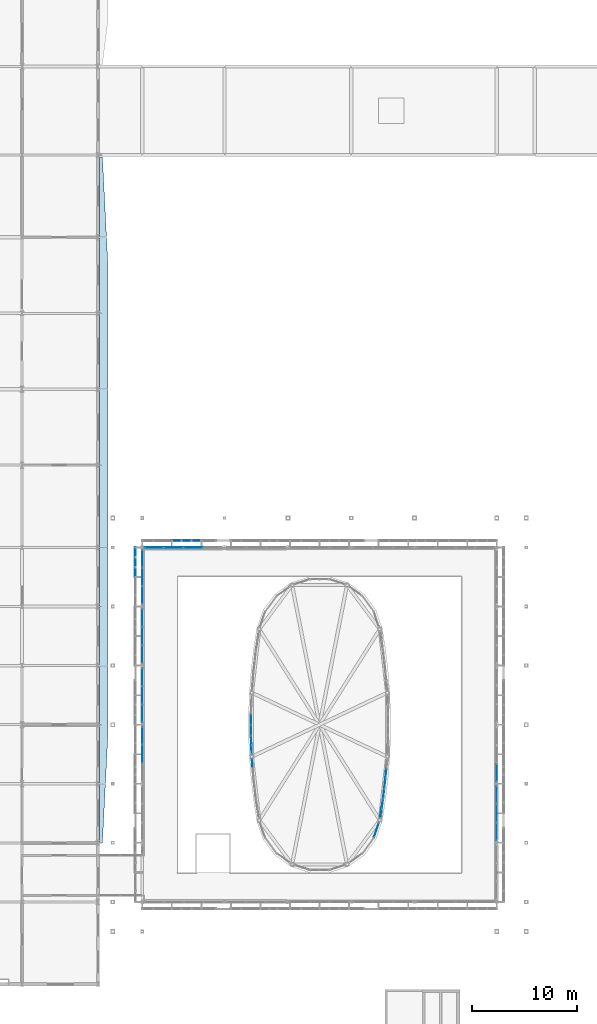
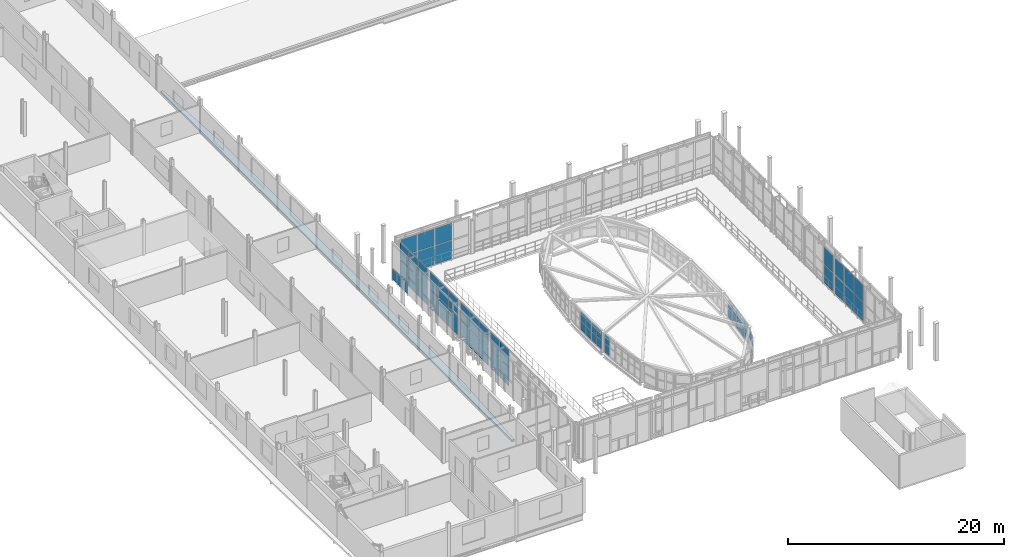
# One storey, part 52 of 78: 59 plates, 1 slab, 14 elements without a shape of their own.
"""IFC4 building model written with IfcOpenShell, lengths in metres."""

from ifc_helpers import new_model, si_unit, direction, frame, origin, origin_2d, place, context, subcontext, project, spatial, polyline, rectangle, outline, extrude, material, layer, layer_set, type_object, element, aggregate, save


model = new_model("IFC4")

# Units and contexts
model_context = context("Model", 3, precision=1e-05, world=origin(), true_north=direction((0.0, 1.0)))
body_context = subcontext(model_context, "Body", "Model", "MODEL_VIEW")
ifc_project = project(units=[si_unit("LENGTHUNIT", "METRE"), si_unit("AREAUNIT", "SQUARE_METRE"), si_unit("VOLUMEUNIT", "CUBIC_METRE"), si_unit("PLANEANGLEUNIT", "RADIAN"), si_unit("MASSUNIT", "GRAM", prefix="KILO")], contexts=[model_context])

# Site, building, storey
site_placement = place(None, origin())
site = spatial("IfcSite", under=ifc_project, at=site_placement, CompositionType="ELEMENT")
building_placement = place(site_placement, origin())
building = spatial("IfcBuilding", under=site, at=building_placement, Name="Vinh Khe Railworks Police Headquarters", CompositionType="ELEMENT")
storey_placement = place(building_placement, frame((0.0, 0.0, 13.199951171875)))
storey = spatial("IfcBuildingStorey", under=building, at=storey_placement, Name="L03", CompositionType="ELEMENT", Elevation=13.199951171875)

# Slab
ifc_material_1 = material(Name="Concrete C35/45 (B35)", Category="concrete")
ifc_layer_1 = layer(ifc_material_1, 0.199951171875)
ifc_layer_set_1 = layer_set([ifc_layer_1], Name="Concrete C35/45 (B35)")
slab_type = type_object("IfcSlabType", Name="Flat Structural Roof Slab 200", PredefinedType="ROOF", material=ifc_layer_set_1)
slab_placement = place(storey_placement, frame((0.0, 0.0, -0.239990234375)))
element("IfcSlab", 1, at=slab_placement, inside=storey, type_object=slab_type, Name="Monsoon Window Eyebrow Hood V5E (L03)", PredefinedType="ROOF", context=body_context, shape_type="SweptSolid", body=[
    extrude(outline(polyline([(22.340087890625, 30.800048828125), (22.62353515625, 30.800048828125), (23.14990234375, 41.199951171875), (23.14990234375, 85.39990234375), (22.62353515625, 95.800048828125), (22.340087890625, 95.800048828125), (22.340087890625, 30.800048828125)])), origin(), (0.0, 0.0, 1.0), 0.199951171875),
])

# Curtain wall, plates
ifc_material_2 = material(Name="Anodised aluminium and acoustic laminated glass", Category="aluminium")
ifc_layer_2 = layer(ifc_material_2, 0.159912109375)
ifc_layer_set_2 = layer_set([ifc_layer_2], Name="Anodised aluminium and acoustic laminated glass")
curtain_wall_type_1 = type_object("IfcCurtainWallType", Name="CW-DRUM-CHORD", PredefinedType="USERDEFINED", material=ifc_layer_set_2)
curtain_wall_1_placement = place(storey_placement, origin())
curtain_wall_1 = element("IfcCurtainWall", 2, at=curtain_wall_1_placement, inside=storey, type_object=curtain_wall_type_1, Name="Elliptical Command Drum Glazing L03 Chord 1", ObjectType="DRUM FACADE GLAZING", PredefinedType="USERDEFINED")
ifc_material_3 = material(Name="Acoustic laminated solar-control glass", Category="glass")
ifc_layer_3 = layer(ifc_material_3, 0.031982421875)
ifc_layer_set_3 = layer_set([ifc_layer_3], Name="Acoustic laminated solar-control glass")
plate_type_1 = type_object("IfcPlateType", Name="PAN-DRUM-32", PredefinedType="CURTAIN_PANEL", material=ifc_layer_set_3)
plate_1_placement = place(storey_placement, frame((49.01416015625, 33.5947265625, 0.06494140625), z_axis=(0.0, 0.0, 1.0), x_axis=(0.153488905684, 0.988150371063, 0.0)))
plate_1 = element("IfcPlate", 3, at=plate_1_placement, type_object=plate_type_1, Name="CW-02 panel 1.1", PredefinedType="CURTAIN_PANEL", context=body_context, shape_type="SweptSolid", body=[
    extrude(rectangle(XDim=0.82275390625, YDim=0.031982421875, at=origin_2d()), origin(), (0.0, 0.0, 1.0), 0.992431640625),
])
plate_2_placement = place(storey_placement, frame((49.01416015625, 33.5947265625, 1.12255859375), z_axis=(0.0, 0.0, 1.0), x_axis=(0.153488905684, 0.988150371063, 0.0)))
plate_2 = element("IfcPlate", 4, at=plate_2_placement, type_object=plate_type_1, Name="CW-02 panel 1.2", PredefinedType="CURTAIN_PANEL", context=body_context, shape_type="SweptSolid", body=[
    extrude(rectangle(XDim=0.82275390625, YDim=0.031982421875, at=origin_2d()), origin(), (0.0, 0.0, 1.0), 0.992431640625),
])
plate_3_placement = place(storey_placement, frame((49.150390625, 34.471923828125, 0.06494140625), z_axis=(0.0, 0.0, 1.0), x_axis=(0.153488905684, 0.988150371063, 0.0)))
plate_3 = element("IfcPlate", 5, at=plate_3_placement, type_object=plate_type_1, Name="CW-02 panel 2.1", PredefinedType="CURTAIN_PANEL", context=body_context, shape_type="SweptSolid", body=[
    extrude(rectangle(XDim=0.82275390625, YDim=0.031982421875, at=origin_2d()), origin(), (0.0, 0.0, 1.0), 0.992431640625),
])
plate_4_placement = place(storey_placement, frame((49.150390625, 34.471923828125, 1.12255859375), z_axis=(0.0, 0.0, 1.0), x_axis=(0.153488905684, 0.988150371063, 0.0)))
plate_4 = element("IfcPlate", 6, at=plate_4_placement, type_object=plate_type_1, Name="CW-02 panel 2.2", PredefinedType="CURTAIN_PANEL", context=body_context, shape_type="SweptSolid", body=[
    extrude(rectangle(XDim=0.82275390625, YDim=0.031982421875, at=origin_2d()), origin(), (0.0, 0.0, 1.0), 0.992431640625),
])
aggregate(curtain_wall_1, [plate_1, plate_2, plate_3, plate_4])

curtain_wall_2_placement = place(storey_placement, origin())
curtain_wall_2 = element("IfcCurtainWall", 7, at=curtain_wall_2_placement, inside=storey, type_object=curtain_wall_type_1, Name="Elliptical Command Drum Glazing L03 Chord 2", ObjectType="DRUM FACADE GLAZING", PredefinedType="USERDEFINED")
plate_5_placement = place(storey_placement, frame((49.28369140625, 35.4609375, 0.06494140625), z_axis=(0.0, 0.0, 1.0), x_axis=(0.115317737498, 0.993328656296, 0.0)))
plate_5 = element("IfcPlate", 8, at=plate_5_placement, type_object=plate_type_1, Name="CW-02 panel 1.1", PredefinedType="CURTAIN_PANEL", context=body_context, shape_type="SweptSolid", body=[
    extrude(rectangle(XDim=0.913818359375, YDim=0.031982421875, at=origin_2d()), origin(), (0.0, 0.0, 1.0), 0.992431640625),
])
plate_6_placement = place(storey_placement, frame((49.28369140625, 35.4609375, 1.12255859375), z_axis=(0.0, 0.0, 1.0), x_axis=(0.115317737498, 0.993328656296, 0.0)))
plate_6 = element("IfcPlate", 9, at=plate_6_placement, type_object=plate_type_1, Name="CW-02 panel 1.2", PredefinedType="CURTAIN_PANEL", context=body_context, shape_type="SweptSolid", body=[
    extrude(rectangle(XDim=0.913818359375, YDim=0.031982421875, at=origin_2d()), origin(), (0.0, 0.0, 1.0), 0.992431640625),
])
plate_7_placement = place(storey_placement, frame((49.396484375, 36.43310546875, 0.06494140625), z_axis=(0.0, 0.0, 1.0), x_axis=(0.115317737498, 0.993328656296, 0.0)))
plate_7 = element("IfcPlate", 10, at=plate_7_placement, type_object=plate_type_1, Name="CW-02 panel 2.1", PredefinedType="CURTAIN_PANEL", context=body_context, shape_type="SweptSolid", body=[
    extrude(rectangle(XDim=0.913818359375, YDim=0.031982421875, at=origin_2d()), origin(), (0.0, 0.0, 1.0), 0.992431640625),
])
plate_8_placement = place(storey_placement, frame((49.396484375, 36.43310546875, 1.12255859375), z_axis=(0.0, 0.0, 1.0), x_axis=(0.115317737498, 0.993328656296, 0.0)))
plate_8 = element("IfcPlate", 11, at=plate_8_placement, type_object=plate_type_1, Name="CW-02 panel 2.2", PredefinedType="CURTAIN_PANEL", context=body_context, shape_type="SweptSolid", body=[
    extrude(rectangle(XDim=0.913818359375, YDim=0.031982421875, at=origin_2d()), origin(), (0.0, 0.0, 1.0), 0.992431640625),
])
aggregate(curtain_wall_2, [plate_5, plate_6, plate_7, plate_8])

curtain_wall_3_placement = place(storey_placement, origin())
curtain_wall_3 = element("IfcCurtainWall", 12, at=curtain_wall_3_placement, inside=storey, type_object=curtain_wall_type_1, Name="Elliptical Command Drum Glazing L03 Chord 3", ObjectType="DRUM FACADE GLAZING", PredefinedType="USERDEFINED")
plate_9_placement = place(storey_placement, frame((49.493408203125, 37.426513671875, 0.06494140625), z_axis=(0.0, 0.0, 1.0), x_axis=(0.076969059213, 0.997033481847, 0.0)))
plate_9 = element("IfcPlate", 13, at=plate_9_placement, type_object=plate_type_1, Name="CW-02 panel 1.1", PredefinedType="CURTAIN_PANEL", context=body_context, shape_type="SweptSolid", body=[
    extrude(rectangle(XDim=0.82275390625, YDim=0.031982421875, at=origin_2d()), origin(), (0.0, 0.0, 1.0), 0.992431640625),
])
plate_10_placement = place(storey_placement, frame((49.493408203125, 37.426513671875, 1.12255859375), z_axis=(0.0, 0.0, 1.0), x_axis=(0.076969059213, 0.997033481847, 0.0)))
plate_10 = element("IfcPlate", 14, at=plate_10_placement, type_object=plate_type_1, Name="CW-02 panel 1.2", PredefinedType="CURTAIN_PANEL", context=body_context, shape_type="SweptSolid", body=[
    extrude(rectangle(XDim=0.82275390625, YDim=0.031982421875, at=origin_2d()), origin(), (0.0, 0.0, 1.0), 0.992431640625),
])
aggregate(curtain_wall_3, [plate_9, plate_10])

curtain_wall_4_placement = place(storey_placement, origin())
curtain_wall_4 = element("IfcCurtainWall", 15, at=curtain_wall_4_placement, inside=storey, type_object=curtain_wall_type_1, Name="Elliptical Command Drum Glazing L03 Chord 23", ObjectType="DRUM FACADE GLAZING", PredefinedType="USERDEFINED")
plate_11_placement = place(storey_placement, frame((36.709716796875, 42.4892578125, 0.06494140625), z_axis=(0.0, 0.0, 1.0), x_axis=(0.0, -1.0, 0.0)))
plate_11 = element("IfcPlate", 16, at=plate_11_placement, type_object=plate_type_1, Name="CW-02 panel 1.1", PredefinedType="CURTAIN_PANEL", context=body_context, shape_type="SweptSolid", body=[
    extrude(rectangle(XDim=0.913818359375, YDim=0.031982421875, at=origin_2d()), origin(), (0.0, 0.0, 1.0), 0.992431640625),
])
plate_12_placement = place(storey_placement, frame((36.709716796875, 42.4892578125, 1.12255859375), z_axis=(0.0, 0.0, 1.0), x_axis=(0.0, -1.0, 0.0)))
plate_12 = element("IfcPlate", 17, at=plate_12_placement, type_object=plate_type_1, Name="CW-02 panel 1.2", PredefinedType="CURTAIN_PANEL", context=body_context, shape_type="SweptSolid", body=[
    extrude(rectangle(XDim=0.913818359375, YDim=0.031982421875, at=origin_2d()), origin(), (0.0, 0.0, 1.0), 0.992431640625),
])
plate_13_placement = place(storey_placement, frame((36.709716796875, 41.5107421875, 0.06494140625), z_axis=(0.0, 0.0, 1.0), x_axis=(0.0, -1.0, 0.0)))
plate_13 = element("IfcPlate", 18, at=plate_13_placement, type_object=plate_type_1, Name="CW-02 panel 2.1", PredefinedType="CURTAIN_PANEL", context=body_context, shape_type="SweptSolid", body=[
    extrude(rectangle(XDim=0.913818359375, YDim=0.031982421875, at=origin_2d()), origin(), (0.0, 0.0, 1.0), 0.992431640625),
])
plate_14_placement = place(storey_placement, frame((36.709716796875, 41.5107421875, 1.12255859375), z_axis=(0.0, 0.0, 1.0), x_axis=(0.0, -1.0, 0.0)))
plate_14 = element("IfcPlate", 19, at=plate_14_placement, type_object=plate_type_1, Name="CW-02 panel 2.2", PredefinedType="CURTAIN_PANEL", context=body_context, shape_type="SweptSolid", body=[
    extrude(rectangle(XDim=0.913818359375, YDim=0.031982421875, at=origin_2d()), origin(), (0.0, 0.0, 1.0), 0.992431640625),
])
aggregate(curtain_wall_4, [plate_11, plate_12, plate_13, plate_14])

curtain_wall_5_placement = place(storey_placement, origin())
curtain_wall_5 = element("IfcCurtainWall", 20, at=curtain_wall_5_placement, inside=storey, type_object=curtain_wall_type_1, Name="Elliptical Command Drum Glazing L03 Chord 24", ObjectType="DRUM FACADE GLAZING", PredefinedType="USERDEFINED")
plate_15_placement = place(storey_placement, frame((36.72802734375, 40.5126953125, 0.06494140625), z_axis=(0.0, 0.0, 1.0), x_axis=(0.038512625989, -0.999258113622, 0.0)))
plate_15 = element("IfcPlate", 21, at=plate_15_placement, type_object=plate_type_1, Name="CW-02 panel 1.1", PredefinedType="CURTAIN_PANEL", context=body_context, shape_type="SweptSolid", body=[
    extrude(rectangle(XDim=0.82275390625, YDim=0.031982421875, at=origin_2d()), origin(), (0.0, 0.0, 1.0), 0.992431640625),
])
plate_16_placement = place(storey_placement, frame((36.72802734375, 40.5126953125, 1.12255859375), z_axis=(0.0, 0.0, 1.0), x_axis=(0.038512625989, -0.999258113622, 0.0)))
plate_16 = element("IfcPlate", 22, at=plate_16_placement, type_object=plate_type_1, Name="CW-02 panel 1.2", PredefinedType="CURTAIN_PANEL", context=body_context, shape_type="SweptSolid", body=[
    extrude(rectangle(XDim=0.82275390625, YDim=0.031982421875, at=origin_2d()), origin(), (0.0, 0.0, 1.0), 0.992431640625),
])
plate_17_placement = place(storey_placement, frame((36.76220703125, 39.625732421875, 0.06494140625), z_axis=(0.0, 0.0, 1.0), x_axis=(0.038512625989, -0.999258113622, 0.0)))
plate_17 = element("IfcPlate", 23, at=plate_17_placement, type_object=plate_type_1, Name="CW-02 panel 2.1", PredefinedType="CURTAIN_PANEL", context=body_context, shape_type="SweptSolid", body=[
    extrude(rectangle(XDim=0.82275390625, YDim=0.031982421875, at=origin_2d()), origin(), (0.0, 0.0, 1.0), 0.992431640625),
])
plate_18_placement = place(storey_placement, frame((36.76220703125, 39.625732421875, 1.12255859375), z_axis=(0.0, 0.0, 1.0), x_axis=(0.038512625989, -0.999258113622, 0.0)))
plate_18 = element("IfcPlate", 24, at=plate_18_placement, type_object=plate_type_1, Name="CW-02 panel 2.2", PredefinedType="CURTAIN_PANEL", context=body_context, shape_type="SweptSolid", body=[
    extrude(rectangle(XDim=0.82275390625, YDim=0.031982421875, at=origin_2d()), origin(), (0.0, 0.0, 1.0), 0.992431640625),
])
aggregate(curtain_wall_5, [plate_15, plate_16, plate_17, plate_18])

curtain_wall_6_placement = place(storey_placement, origin())
curtain_wall_6 = element("IfcCurtainWall", 25, at=curtain_wall_6_placement, inside=storey, type_object=curtain_wall_type_1, Name="Elliptical Command Drum Glazing L03 Chord 25", ObjectType="DRUM FACADE GLAZING", PredefinedType="USERDEFINED")
plate_19_placement = place(storey_placement, frame((36.83837890625, 38.3115234375, 0.06494140625), z_axis=(0.0, 0.0, 1.0), x_axis=(0.076969059213, -0.997033481847, 0.0)))
plate_19 = element("IfcPlate", 26, at=plate_19_placement, type_object=plate_type_1, Name="CW-02 panel 1.1", PredefinedType="CURTAIN_PANEL", context=body_context, shape_type="SweptSolid", body=[
    extrude(rectangle(XDim=0.82275390625, YDim=0.031982421875, at=origin_2d()), origin(), (0.0, 0.0, 1.0), 0.992431640625),
])
plate_20_placement = place(storey_placement, frame((36.83837890625, 38.3115234375, 1.12255859375), z_axis=(0.0, 0.0, 1.0), x_axis=(0.076969059213, -0.997033481847, 0.0)))
plate_20 = element("IfcPlate", 27, at=plate_20_placement, type_object=plate_type_1, Name="CW-02 panel 1.2", PredefinedType="CURTAIN_PANEL", context=body_context, shape_type="SweptSolid", body=[
    extrude(rectangle(XDim=0.82275390625, YDim=0.031982421875, at=origin_2d()), origin(), (0.0, 0.0, 1.0), 0.992431640625),
])
aggregate(curtain_wall_6, [plate_19, plate_20])

# Curtain wall, plate
curtain_wall_7_placement = place(storey_placement, origin())
curtain_wall_7 = element("IfcCurtainWall", 28, at=curtain_wall_7_placement, inside=storey, type_object=curtain_wall_type_1, Name="Elliptical Command Drum Glazing L03 Chord 36", ObjectType="DRUM FACADE GLAZING", PredefinedType="USERDEFINED")
plate_21_placement = place(storey_placement, frame((48.59423828125, 32.009033203125, 1.12255859375), z_axis=(0.0, 0.0, 1.0), x_axis=(0.322748955701, 0.946484607162, 0.0)))
plate_21 = element("IfcPlate", 29, at=plate_21_placement, type_object=plate_type_1, Name="CW-02 panel 1.2", PredefinedType="CURTAIN_PANEL", context=body_context, shape_type="SweptSolid", body=[
    extrude(rectangle(XDim=1.48193359375, YDim=0.031982421875, at=origin_2d()), origin(), (0.0, 0.0, 1.0), 0.992431640625),
])
aggregate(curtain_wall_7, [plate_21])

# Curtain wall, plates
ifc_material_4 = material(Name="Anodised aluminium and low-iron glass", Category="aluminium")
ifc_layer_4 = layer(ifc_material_4, 0.179931640625)
ifc_layer_set_4 = layer_set([ifc_layer_4], Name="Anodised aluminium and low-iron glass")
curtain_wall_type_2 = type_object("IfcCurtainWallType", Name="CW-CUBE-UNIT", PredefinedType="USERDEFINED", material=ifc_layer_set_4)
curtain_wall_8_placement = place(storey_placement, origin())
curtain_wall_8 = element("IfcCurtainWall", 30, at=curtain_wall_8_placement, inside=storey, type_object=curtain_wall_type_2, Name="Entrance Hall Curtain Wall L03 N-1", ObjectType="UNITISED GLAZING", PredefinedType="USERDEFINED")
ifc_material_5 = material(Name="Low-iron laminated solar-control glass", Category="glass")
ifc_layer_5 = layer(ifc_material_5, 0.028076171875)
ifc_layer_set_5 = layer_set([ifc_layer_5], Name="Low-iron laminated solar-control glass")
plate_type_2 = type_object("IfcPlateType", Name="PAN-GLZ-28", PredefinedType="CURTAIN_PANEL", material=ifc_layer_set_5)
plate_22_placement = place(storey_placement, frame((27.516845703125, 58.800048828125, 0.070068359375), z_axis=(0.0, 0.0, 1.0), x_axis=(1.0, 0.0, 0.0)))
plate_22 = element("IfcPlate", 31, at=plate_22_placement, type_object=plate_type_2, Name="CW-01 panel 1.1", PredefinedType="CURTAIN_PANEL", context=body_context, shape_type="SweptSolid", body=[
    extrude(rectangle(XDim=1.753662109375, YDim=0.028076171875, at=origin_2d()), origin(), (0.0, 0.0, 1.0), 2.0791015625),
])
plate_23_placement = place(storey_placement, frame((27.516845703125, 58.800048828125, 2.21923828125), z_axis=(0.0, 0.0, 1.0), x_axis=(1.0, 0.0, 0.0)))
plate_23 = element("IfcPlate", 32, at=plate_23_placement, type_object=plate_type_2, Name="CW-01 panel 1.2", PredefinedType="CURTAIN_PANEL", context=body_context, shape_type="SweptSolid", body=[
    extrude(rectangle(XDim=1.753662109375, YDim=0.028076171875, at=origin_2d()), origin(), (0.0, 0.0, 1.0), 1.910888671875),
])
plate_24_placement = place(storey_placement, frame((29.358154296875, 58.800048828125, 0.070068359375), z_axis=(0.0, 0.0, 1.0), x_axis=(1.0, 0.0, 0.0)))
plate_24 = element("IfcPlate", 33, at=plate_24_placement, type_object=plate_type_2, Name="CW-01 panel 2.1", PredefinedType="CURTAIN_PANEL", context=body_context, shape_type="SweptSolid", body=[
    extrude(rectangle(XDim=1.788818359375, YDim=0.028076171875, at=origin_2d()), origin(), (0.0, 0.0, 1.0), 2.0791015625),
])
plate_25_placement = place(storey_placement, frame((29.358154296875, 58.800048828125, 2.21923828125), z_axis=(0.0, 0.0, 1.0), x_axis=(1.0, 0.0, 0.0)))
plate_25 = element("IfcPlate", 34, at=plate_25_placement, type_object=plate_type_2, Name="CW-01 panel 2.2", PredefinedType="CURTAIN_PANEL", context=body_context, shape_type="SweptSolid", body=[
    extrude(rectangle(XDim=1.788818359375, YDim=0.028076171875, at=origin_2d()), origin(), (0.0, 0.0, 1.0), 1.910888671875),
])
plate_26_placement = place(storey_placement, frame((31.216796875, 58.800048828125, 0.070068359375), z_axis=(0.0, 0.0, 1.0), x_axis=(1.0, 0.0, 0.0)))
plate_26 = element("IfcPlate", 35, at=plate_26_placement, type_object=plate_type_2, Name="CW-01 panel 3.1", PredefinedType="CURTAIN_PANEL", context=body_context, shape_type="SweptSolid", body=[
    extrude(rectangle(XDim=1.788818359375, YDim=0.028076171875, at=origin_2d()), origin(), (0.0, 0.0, 1.0), 2.0791015625),
])
plate_27_placement = place(storey_placement, frame((31.216796875, 58.800048828125, 2.21923828125), z_axis=(0.0, 0.0, 1.0), x_axis=(1.0, 0.0, 0.0)))
plate_27 = element("IfcPlate", 36, at=plate_27_placement, type_object=plate_type_2, Name="CW-01 panel 3.2", PredefinedType="CURTAIN_PANEL", context=body_context, shape_type="SweptSolid", body=[
    extrude(rectangle(XDim=1.788818359375, YDim=0.028076171875, at=origin_2d()), origin(), (0.0, 0.0, 1.0), 1.910888671875),
])
aggregate(curtain_wall_8, [plate_22, plate_23, plate_24, plate_25, plate_26, plate_27])

curtain_wall_9_placement = place(storey_placement, origin())
curtain_wall_9 = element("IfcCurtainWall", 37, at=curtain_wall_9_placement, inside=storey, type_object=curtain_wall_type_2, Name="Entrance Hall Curtain Wall L03 E-2", ObjectType="UNITISED GLAZING", PredefinedType="USERDEFINED")
plate_28_placement = place(storey_placement, frame((60.0, 31.86083984375, 0.070068359375), z_axis=(0.0, 0.0, 1.0), x_axis=(0.0, 1.0, 0.0)))
plate_28 = element("IfcPlate", 38, at=plate_28_placement, type_object=plate_type_2, Name="CW-01 panel 1.1", PredefinedType="CURTAIN_PANEL", context=body_context, shape_type="SweptSolid", body=[
    extrude(rectangle(XDim=1.66162109375, YDim=0.028076171875, at=origin_2d()), origin(), (0.0, 0.0, 1.0), 2.0791015625),
])
plate_29_placement = place(storey_placement, frame((60.0, 31.86083984375, 2.21923828125), z_axis=(0.0, 0.0, 1.0), x_axis=(0.0, 1.0, 0.0)))
plate_29 = element("IfcPlate", 39, at=plate_29_placement, type_object=plate_type_2, Name="CW-01 panel 1.2", PredefinedType="CURTAIN_PANEL", context=body_context, shape_type="SweptSolid", body=[
    extrude(rectangle(XDim=1.66162109375, YDim=0.028076171875, at=origin_2d()), origin(), (0.0, 0.0, 1.0), 1.910888671875),
])
plate_30_placement = place(storey_placement, frame((60.0, 33.610107421875, 0.070068359375), z_axis=(0.0, 0.0, 1.0), x_axis=(0.0, 1.0, 0.0)))
plate_30 = element("IfcPlate", 40, at=plate_30_placement, type_object=plate_type_2, Name="CW-01 panel 2.1", PredefinedType="CURTAIN_PANEL", context=body_context, shape_type="SweptSolid", body=[
    extrude(rectangle(XDim=1.69677734375, YDim=0.028076171875, at=origin_2d()), origin(), (0.0, 0.0, 1.0), 2.0791015625),
])
plate_31_placement = place(storey_placement, frame((60.0, 33.610107421875, 2.21923828125), z_axis=(0.0, 0.0, 1.0), x_axis=(0.0, 1.0, 0.0)))
plate_31 = element("IfcPlate", 41, at=plate_31_placement, type_object=plate_type_2, Name="CW-01 panel 2.2", PredefinedType="CURTAIN_PANEL", context=body_context, shape_type="SweptSolid", body=[
    extrude(rectangle(XDim=1.69677734375, YDim=0.028076171875, at=origin_2d()), origin(), (0.0, 0.0, 1.0), 1.910888671875),
])
plate_32_placement = place(storey_placement, frame((60.0, 35.359130859375, 0.070068359375), z_axis=(0.0, 0.0, 1.0), x_axis=(0.0, 1.0, 0.0)))
plate_32 = element("IfcPlate", 42, at=plate_32_placement, type_object=plate_type_2, Name="CW-01 panel 3.1", PredefinedType="CURTAIN_PANEL", context=body_context, shape_type="SweptSolid", body=[
    extrude(rectangle(XDim=1.66162109375, YDim=0.028076171875, at=origin_2d()), origin(), (0.0, 0.0, 1.0), 2.0791015625),
])
plate_33_placement = place(storey_placement, frame((60.0, 35.359130859375, 2.21923828125), z_axis=(0.0, 0.0, 1.0), x_axis=(0.0, 1.0, 0.0)))
plate_33 = element("IfcPlate", 43, at=plate_33_placement, type_object=plate_type_2, Name="CW-01 panel 3.2", PredefinedType="CURTAIN_PANEL", context=body_context, shape_type="SweptSolid", body=[
    extrude(rectangle(XDim=1.66162109375, YDim=0.028076171875, at=origin_2d()), origin(), (0.0, 0.0, 1.0), 1.910888671875),
])
aggregate(curtain_wall_9, [plate_28, plate_29, plate_30, plate_31, plate_32, plate_33])

curtain_wall_10_placement = place(storey_placement, origin())
curtain_wall_10 = element("IfcCurtainWall", 44, at=curtain_wall_10_placement, inside=storey, type_object=curtain_wall_type_2, Name="Entrance Hall Curtain Wall L03 E-3", ObjectType="UNITISED GLAZING", PredefinedType="USERDEFINED")
plate_34_placement = place(storey_placement, frame((60.0, 37.43505859375, 0.070068359375), z_axis=(0.0, 0.0, 1.0), x_axis=(0.0, 1.0, 0.0)))
plate_34 = element("IfcPlate", 45, at=plate_34_placement, type_object=plate_type_2, Name="CW-01 panel 1.1", PredefinedType="CURTAIN_PANEL", context=body_context, shape_type="SweptSolid", body=[
    extrude(rectangle(XDim=1.64990234375, YDim=0.028076171875, at=origin_2d()), origin(), (0.0, 0.0, 1.0), 2.0791015625),
])
plate_35_placement = place(storey_placement, frame((60.0, 37.43505859375, 2.21923828125), z_axis=(0.0, 0.0, 1.0), x_axis=(0.0, 1.0, 0.0)))
plate_35 = element("IfcPlate", 46, at=plate_35_placement, type_object=plate_type_2, Name="CW-01 panel 1.2", PredefinedType="CURTAIN_PANEL", context=body_context, shape_type="SweptSolid", body=[
    extrude(rectangle(XDim=1.64990234375, YDim=0.028076171875, at=origin_2d()), origin(), (0.0, 0.0, 1.0), 1.910888671875),
])
aggregate(curtain_wall_10, [plate_34, plate_35])

curtain_wall_11_placement = place(storey_placement, origin())
curtain_wall_11 = element("IfcCurtainWall", 47, at=curtain_wall_11_placement, inside=storey, type_object=curtain_wall_type_2, Name="Entrance Hall Curtain Wall L03 W-3", ObjectType="UNITISED GLAZING", PredefinedType="USERDEFINED")
plate_36_placement = place(storey_placement, frame((26.39990234375, 39.2099609375, 0.070068359375), z_axis=(0.0, 0.0, 1.0), x_axis=(0.0, 1.0, 0.0)))
plate_36 = element("IfcPlate", 48, at=plate_36_placement, type_object=plate_type_2, Name="CW-01 panel 2.1", PredefinedType="CURTAIN_PANEL", context=body_context, shape_type="SweptSolid", body=[
    extrude(rectangle(XDim=1.69677734375, YDim=0.028076171875, at=origin_2d()), origin(), (0.0, 0.0, 1.0), 2.0791015625),
])
plate_37_placement = place(storey_placement, frame((26.39990234375, 39.2099609375, 2.21923828125), z_axis=(0.0, 0.0, 1.0), x_axis=(0.0, 1.0, 0.0)))
plate_37 = element("IfcPlate", 49, at=plate_37_placement, type_object=plate_type_2, Name="CW-01 panel 2.2", PredefinedType="CURTAIN_PANEL", context=body_context, shape_type="SweptSolid", body=[
    extrude(rectangle(XDim=1.69677734375, YDim=0.028076171875, at=origin_2d()), origin(), (0.0, 0.0, 1.0), 1.910888671875),
])
plate_38_placement = place(storey_placement, frame((26.39990234375, 40.959228515625, 0.070068359375), z_axis=(0.0, 0.0, 1.0), x_axis=(0.0, 1.0, 0.0)))
plate_38 = element("IfcPlate", 50, at=plate_38_placement, type_object=plate_type_2, Name="CW-01 panel 3.1", PredefinedType="CURTAIN_PANEL", context=body_context, shape_type="SweptSolid", body=[
    extrude(rectangle(XDim=1.66162109375, YDim=0.028076171875, at=origin_2d()), origin(), (0.0, 0.0, 1.0), 2.0791015625),
])
plate_39_placement = place(storey_placement, frame((26.39990234375, 40.959228515625, 2.21923828125), z_axis=(0.0, 0.0, 1.0), x_axis=(0.0, 1.0, 0.0)))
plate_39 = element("IfcPlate", 51, at=plate_39_placement, type_object=plate_type_2, Name="CW-01 panel 3.2", PredefinedType="CURTAIN_PANEL", context=body_context, shape_type="SweptSolid", body=[
    extrude(rectangle(XDim=1.66162109375, YDim=0.028076171875, at=origin_2d()), origin(), (0.0, 0.0, 1.0), 1.910888671875),
])
aggregate(curtain_wall_11, [plate_36, plate_37, plate_38, plate_39])

curtain_wall_12_placement = place(storey_placement, origin())
curtain_wall_12 = element("IfcCurtainWall", 52, at=curtain_wall_12_placement, inside=storey, type_object=curtain_wall_type_2, Name="Entrance Hall Curtain Wall L03 W-4", ObjectType="UNITISED GLAZING", PredefinedType="USERDEFINED")
plate_40_placement = place(storey_placement, frame((26.39990234375, 43.034912109375, 0.070068359375), z_axis=(0.0, 0.0, 1.0), x_axis=(0.0, 1.0, 0.0)))
plate_40 = element("IfcPlate", 53, at=plate_40_placement, type_object=plate_type_2, Name="CW-01 panel 1.1", PredefinedType="CURTAIN_PANEL", context=body_context, shape_type="SweptSolid", body=[
    extrude(rectangle(XDim=1.64990234375, YDim=0.028076171875, at=origin_2d()), origin(), (0.0, 0.0, 1.0), 2.0791015625),
])
plate_41_placement = place(storey_placement, frame((26.39990234375, 43.034912109375, 2.21923828125), z_axis=(0.0, 0.0, 1.0), x_axis=(0.0, 1.0, 0.0)))
plate_41 = element("IfcPlate", 54, at=plate_41_placement, type_object=plate_type_2, Name="CW-01 panel 1.2", PredefinedType="CURTAIN_PANEL", context=body_context, shape_type="SweptSolid", body=[
    extrude(rectangle(XDim=1.64990234375, YDim=0.028076171875, at=origin_2d()), origin(), (0.0, 0.0, 1.0), 1.910888671875),
])
plate_42_placement = place(storey_placement, frame((26.39990234375, 44.7724609375, 0.070068359375), z_axis=(0.0, 0.0, 1.0), x_axis=(0.0, 1.0, 0.0)))
plate_42 = element("IfcPlate", 55, at=plate_42_placement, type_object=plate_type_2, Name="CW-01 panel 2.1", PredefinedType="CURTAIN_PANEL", context=body_context, shape_type="SweptSolid", body=[
    extrude(rectangle(XDim=1.68505859375, YDim=0.028076171875, at=origin_2d()), origin(), (0.0, 0.0, 1.0), 2.0791015625),
])
plate_43_placement = place(storey_placement, frame((26.39990234375, 44.7724609375, 2.21923828125), z_axis=(0.0, 0.0, 1.0), x_axis=(0.0, 1.0, 0.0)))
plate_43 = element("IfcPlate", 56, at=plate_43_placement, type_object=plate_type_2, Name="CW-01 panel 2.2", PredefinedType="CURTAIN_PANEL", context=body_context, shape_type="SweptSolid", body=[
    extrude(rectangle(XDim=1.68505859375, YDim=0.028076171875, at=origin_2d()), origin(), (0.0, 0.0, 1.0), 1.910888671875),
])
plate_44_placement = place(storey_placement, frame((26.39990234375, 46.510009765625, 0.070068359375), z_axis=(0.0, 0.0, 1.0), x_axis=(0.0, 1.0, 0.0)))
plate_44 = element("IfcPlate", 57, at=plate_44_placement, type_object=plate_type_2, Name="CW-01 panel 3.1", PredefinedType="CURTAIN_PANEL", context=body_context, shape_type="SweptSolid", body=[
    extrude(rectangle(XDim=1.64990234375, YDim=0.028076171875, at=origin_2d()), origin(), (0.0, 0.0, 1.0), 2.0791015625),
])
plate_45_placement = place(storey_placement, frame((26.39990234375, 46.510009765625, 2.21923828125), z_axis=(0.0, 0.0, 1.0), x_axis=(0.0, 1.0, 0.0)))
plate_45 = element("IfcPlate", 58, at=plate_45_placement, type_object=plate_type_2, Name="CW-01 panel 3.2", PredefinedType="CURTAIN_PANEL", context=body_context, shape_type="SweptSolid", body=[
    extrude(rectangle(XDim=1.64990234375, YDim=0.028076171875, at=origin_2d()), origin(), (0.0, 0.0, 1.0), 1.910888671875),
])
aggregate(curtain_wall_12, [plate_40, plate_41, plate_42, plate_43, plate_44, plate_45])

curtain_wall_13_placement = place(storey_placement, origin())
curtain_wall_13 = element("IfcCurtainWall", 59, at=curtain_wall_13_placement, inside=storey, type_object=curtain_wall_type_2, Name="Entrance Hall Curtain Wall L03 W-5", ObjectType="UNITISED GLAZING", PredefinedType="USERDEFINED")
plate_46_placement = place(storey_placement, frame((26.39990234375, 48.6826171875, 0.070068359375), z_axis=(0.0, 0.0, 1.0), x_axis=(0.0, 1.0, 0.0)))
plate_46 = element("IfcPlate", 60, at=plate_46_placement, type_object=plate_type_2, Name="CW-01 panel 1.1", PredefinedType="CURTAIN_PANEL", context=body_context, shape_type="SweptSolid", body=[
    extrude(rectangle(XDim=1.635009765625, YDim=0.028076171875, at=origin_2d()), origin(), (0.0, 0.0, 1.0), 2.0791015625),
])
plate_47_placement = place(storey_placement, frame((26.39990234375, 48.6826171875, 2.21923828125), z_axis=(0.0, 0.0, 1.0), x_axis=(0.0, 1.0, 0.0)))
plate_47 = element("IfcPlate", 61, at=plate_47_placement, type_object=plate_type_2, Name="CW-01 panel 1.2", PredefinedType="CURTAIN_PANEL", context=body_context, shape_type="SweptSolid", body=[
    extrude(rectangle(XDim=1.635009765625, YDim=0.028076171875, at=origin_2d()), origin(), (0.0, 0.0, 1.0), 1.910888671875),
])
plate_48_placement = place(storey_placement, frame((26.39990234375, 50.405029296875, 0.070068359375), z_axis=(0.0, 0.0, 1.0), x_axis=(0.0, 1.0, 0.0)))
plate_48 = element("IfcPlate", 62, at=plate_48_placement, type_object=plate_type_2, Name="CW-01 panel 2.1", PredefinedType="CURTAIN_PANEL", context=body_context, shape_type="SweptSolid", body=[
    extrude(rectangle(XDim=1.669921875, YDim=0.028076171875, at=origin_2d()), origin(), (0.0, 0.0, 1.0), 2.0791015625),
])
plate_49_placement = place(storey_placement, frame((26.39990234375, 50.405029296875, 2.21923828125), z_axis=(0.0, 0.0, 1.0), x_axis=(0.0, 1.0, 0.0)))
plate_49 = element("IfcPlate", 63, at=plate_49_placement, type_object=plate_type_2, Name="CW-01 panel 2.2", PredefinedType="CURTAIN_PANEL", context=body_context, shape_type="SweptSolid", body=[
    extrude(rectangle(XDim=1.669921875, YDim=0.028076171875, at=origin_2d()), origin(), (0.0, 0.0, 1.0), 1.910888671875),
])
plate_50_placement = place(storey_placement, frame((26.39990234375, 52.12744140625, 0.070068359375), z_axis=(0.0, 0.0, 1.0), x_axis=(0.0, 1.0, 0.0)))
plate_50 = element("IfcPlate", 64, at=plate_50_placement, type_object=plate_type_2, Name="CW-01 panel 3.1", PredefinedType="CURTAIN_PANEL", context=body_context, shape_type="SweptSolid", body=[
    extrude(rectangle(XDim=1.635009765625, YDim=0.028076171875, at=origin_2d()), origin(), (0.0, 0.0, 1.0), 2.0791015625),
])
plate_51_placement = place(storey_placement, frame((26.39990234375, 52.12744140625, 2.21923828125), z_axis=(0.0, 0.0, 1.0), x_axis=(0.0, 1.0, 0.0)))
plate_51 = element("IfcPlate", 65, at=plate_51_placement, type_object=plate_type_2, Name="CW-01 panel 3.2", PredefinedType="CURTAIN_PANEL", context=body_context, shape_type="SweptSolid", body=[
    extrude(rectangle(XDim=1.635009765625, YDim=0.028076171875, at=origin_2d()), origin(), (0.0, 0.0, 1.0), 1.910888671875),
])
aggregate(curtain_wall_13, [plate_46, plate_47, plate_48, plate_49, plate_50, plate_51])

curtain_wall_14_placement = place(storey_placement, origin())
curtain_wall_14 = element("IfcCurtainWall", 66, at=curtain_wall_14_placement, inside=storey, type_object=curtain_wall_type_2, Name="Entrance Hall Curtain Wall L03 W-6", ObjectType="UNITISED GLAZING", PredefinedType="USERDEFINED")
plate_52_placement = place(storey_placement, frame((26.39990234375, 54.276611328125, 0.070068359375), z_axis=(0.0, 0.0, 1.0), x_axis=(0.0, 1.0, 0.0)))
plate_52 = element("IfcPlate", 67, at=plate_52_placement, type_object=plate_type_2, Name="CW-01 panel 1.1", PredefinedType="CURTAIN_PANEL", context=body_context, shape_type="SweptSolid", body=[
    extrude(rectangle(XDim=1.643310546875, YDim=0.028076171875, at=origin_2d()), origin(), (0.0, 0.0, 1.0), 2.0791015625),
])
plate_53_placement = place(storey_placement, frame((26.39990234375, 54.276611328125, 2.21923828125), z_axis=(0.0, 0.0, 1.0), x_axis=(0.0, 1.0, 0.0)))
plate_53 = element("IfcPlate", 68, at=plate_53_placement, type_object=plate_type_2, Name="CW-01 panel 1.2", PredefinedType="CURTAIN_PANEL", context=body_context, shape_type="SweptSolid", body=[
    extrude(rectangle(XDim=1.643310546875, YDim=0.028076171875, at=origin_2d()), origin(), (0.0, 0.0, 1.0), 1.910888671875),
])
plate_54_placement = place(storey_placement, frame((26.39990234375, 56.007568359375, 0.070068359375), z_axis=(0.0, 0.0, 1.0), x_axis=(0.0, 1.0, 0.0)))
plate_54 = element("IfcPlate", 69, at=plate_54_placement, type_object=plate_type_2, Name="CW-01 panel 2.1", PredefinedType="CURTAIN_PANEL", context=body_context, shape_type="SweptSolid", body=[
    extrude(rectangle(XDim=1.67822265625, YDim=0.028076171875, at=origin_2d()), origin(), (0.0, 0.0, 1.0), 2.0791015625),
])
plate_55_placement = place(storey_placement, frame((26.39990234375, 56.007568359375, 2.21923828125), z_axis=(0.0, 0.0, 1.0), x_axis=(0.0, 1.0, 0.0)))
plate_55 = element("IfcPlate", 70, at=plate_55_placement, type_object=plate_type_2, Name="CW-01 panel 2.2", PredefinedType="CURTAIN_PANEL", context=body_context, shape_type="SweptSolid", body=[
    extrude(rectangle(XDim=1.67822265625, YDim=0.028076171875, at=origin_2d()), origin(), (0.0, 0.0, 1.0), 1.910888671875),
])
plate_56_placement = place(storey_placement, frame((26.39990234375, 57.73828125, 0.070068359375), z_axis=(0.0, 0.0, 1.0), x_axis=(0.0, 1.0, 0.0)))
plate_56 = element("IfcPlate", 71, at=plate_56_placement, type_object=plate_type_2, Name="CW-01 panel 3.1", PredefinedType="CURTAIN_PANEL", context=body_context, shape_type="SweptSolid", body=[
    extrude(rectangle(XDim=1.643310546875, YDim=0.028076171875, at=origin_2d()), origin(), (0.0, 0.0, 1.0), 2.0791015625),
])
plate_57_placement = place(storey_placement, frame((26.39990234375, 57.73828125, 2.21923828125), z_axis=(0.0, 0.0, 1.0), x_axis=(0.0, 1.0, 0.0)))
plate_57 = element("IfcPlate", 72, at=plate_57_placement, type_object=plate_type_2, Name="CW-01 panel 3.2", PredefinedType="CURTAIN_PANEL", context=body_context, shape_type="SweptSolid", body=[
    extrude(rectangle(XDim=1.643310546875, YDim=0.028076171875, at=origin_2d()), origin(), (0.0, 0.0, 1.0), 1.910888671875),
])
aggregate(curtain_wall_14, [plate_52, plate_53, plate_54, plate_55, plate_56, plate_57])

# Plates
ifc_material_6 = material(Name="Salvaged ironwood timber", Category="wood")
ifc_layer_6 = layer(ifc_material_6, 0.050048828125)
ifc_layer_set_6 = layer_set([ifc_layer_6], Name="Salvaged ironwood timber")
plate_type_3 = type_object("IfcPlateType", Name="PLT-QP-03", PredefinedType="SHEET", material=ifc_layer_set_6)
for number, where, z_axis, x_axis, name in (
    (73, (30.60009765625, 59.449951171875, 0.0), (0.0, 0.0, 1.0), (1.0, 0.0, 0.0), "Salvaged Ironwood Panelled Casement N-2"),
    (74, (25.75, 57.39990234375, 0.0), (0.0, 0.0, 1.0), (0.0, 1.0, 0.0), "Salvaged Ironwood Panelled Casement W-12"),
):
    element("IfcPlate", number, at=place(storey_placement, frame(where, z_axis=z_axis, x_axis=x_axis)), inside=storey, type_object=plate_type_3, Name=name, PredefinedType="SHEET", context=body_context, shape_type="SweptSolid", body=[
        extrude(rectangle(XDim=2.800048828125, YDim=0.050048828125, at=origin_2d()), origin(), (0.0, 0.0, 1.0), 1.260009765625),
    ])

save(model, "model.ifc")
